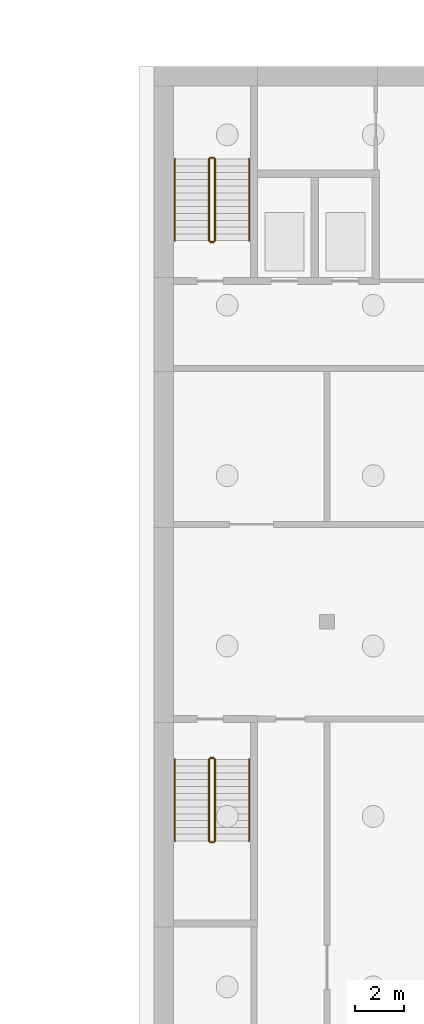
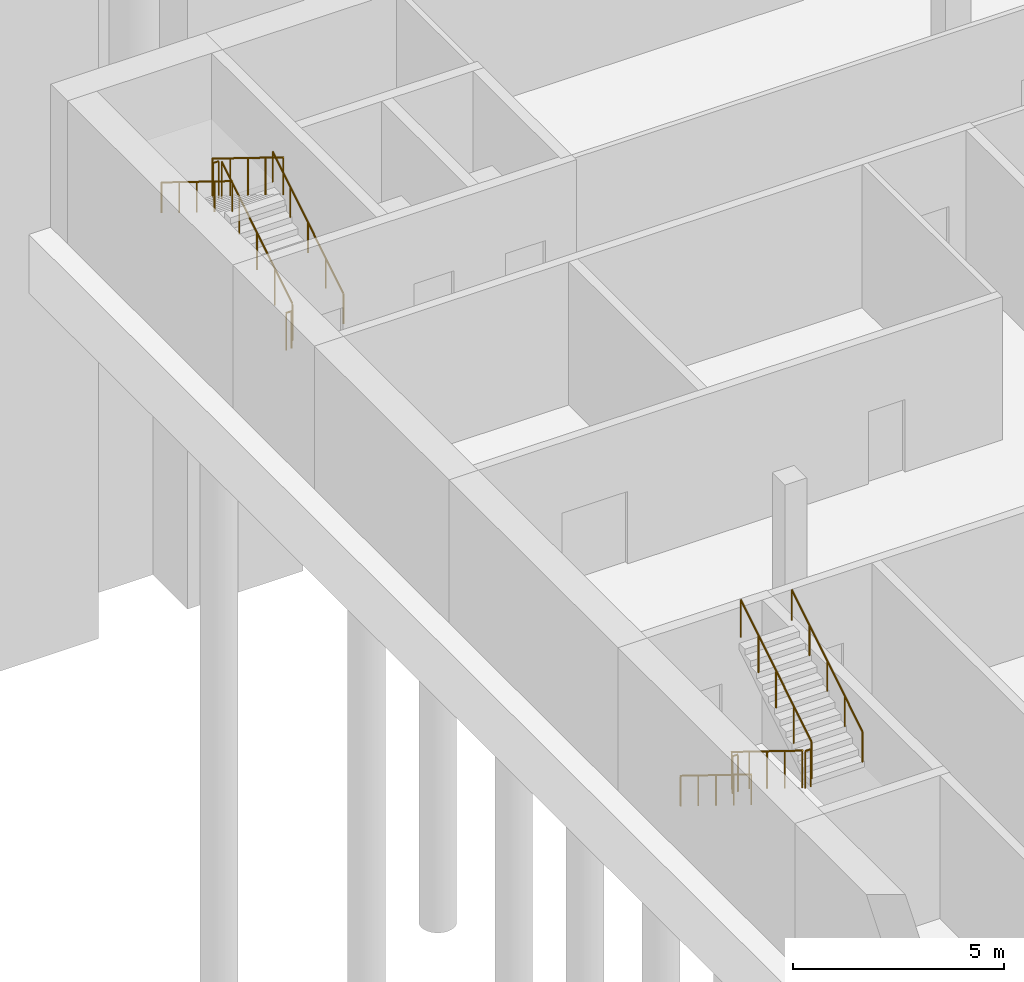
# One storey, part 16 of 23: 12 railings.
"""IFC4 building model written with IfcOpenShell, lengths in metres."""

from ifc_helpers import new_model, si_unit, direction, frame, origin, origin_2d, place, context, subcontext, project, spatial, circle, extrude, material, type_object, element, save


model = new_model("IFC4")

# Units and contexts
model_context = context("Model", 3, precision=1e-05, world=origin(), true_north=direction((0.0, 1.0)))
body_context = subcontext(model_context, "Body", "Model", "MODEL_VIEW")
ifc_project = project(units=[si_unit("LENGTHUNIT", "METRE"), si_unit("AREAUNIT", "SQUARE_METRE"), si_unit("VOLUMEUNIT", "CUBIC_METRE"), si_unit("PLANEANGLEUNIT", "RADIAN"), si_unit("MASSUNIT", "GRAM", prefix="KILO")], contexts=[model_context])

# Site, building, storey
site_placement = place(None, origin())
site = spatial("IfcSite", under=ifc_project, at=site_placement, CompositionType="ELEMENT")
building_placement = place(site_placement, origin())
building = spatial("IfcBuilding", under=site, at=building_placement, Name="Kiln Ring Residences", CompositionType="ELEMENT")
storey_placement = place(building_placement, frame((0.0, 0.0, -4.5)))
storey = spatial("IfcBuildingStorey", under=building, at=storey_placement, Name="B1", CompositionType="ELEMENT", Elevation=-4.5)

# Railings
ifc_material_1 = material(Name="Stainless steel", Category="steel")
railing_type_1 = type_object("IfcRailingType", Name="Hall stair guard 1100", PredefinedType="GUARDRAIL", material=ifc_material_1)
railing_1_placement = place(storey_placement, frame((-27.5, -119.550048828125, 0.173095703125)))
element("IfcRailing", 1, at=railing_1_placement, inside=storey, type_object=railing_type_1, Name="B1 HALL.ST1 stair guard 1", PredefinedType="GUARDRAIL", context=body_context, shape_type="SweptSolid", body=[
    extrude(circle(Radius=0.02392578125, at=origin_2d()), frame((0.0, 0.0, 1.076171875), z_axis=(0.0, 0.850623216509, 0.525775754039), x_axis=(-1.0, 0.0, 0.0)), (0.0, 0.0, 1.0), 3.9501953125),
    extrude(circle(Radius=0.02099609375, at=origin_2d()), origin(), (0.0, 0.0, 1.0), 1.052001953125),
    extrude(circle(Radius=0.02099609375, at=origin_2d()), frame((0.0, 0.840087890625, 0.519287109375)), (0.0, 0.0, 1.0), 1.052001953125),
    extrude(circle(Radius=0.02099609375, at=origin_2d()), frame((0.0, 1.68017578125, 1.03857421875)), (0.0, 0.0, 1.0), 1.052001953125),
    extrude(circle(Radius=0.02099609375, at=origin_2d()), frame((0.0, 2.52001953125, 1.5576171875)), (0.0, 0.0, 1.0), 1.052001953125),
    extrude(circle(Radius=0.02099609375, at=origin_2d()), frame((0.0, 3.360107421875, 2.076904296875)), (0.0, 0.0, 1.0), 1.052001953125),
])
railing_2_placement = place(storey_placement, frame((-27.550048828125, -116.139892578125, 2.25)))
element("IfcRailing", 2, at=railing_2_placement, inside=storey, type_object=railing_type_1, Name="B1 HALL.ST1 stair guard 2", PredefinedType="GUARDRAIL", context=body_context, shape_type="SweptSolid", body=[
    extrude(circle(Radius=0.02392578125, at=origin_2d()), frame((0.0, 0.0, 1.076171875), z_axis=(-1.0, 0.0, 0.0), x_axis=(0.0, -1.0, 0.0)), (0.0, 0.0, 1.0), 0.14990234375),
    extrude(circle(Radius=0.02099609375, at=origin_2d()), origin(), (0.0, 0.0, 1.0), 1.052001953125),
    extrude(circle(Radius=0.02099609375, at=origin_2d()), frame((-0.14990234375, 0.0, 0.0)), (0.0, 0.0, 1.0), 1.052001953125),
])
railing_3_placement = place(storey_placement, frame((-27.75, -116.18994140625, 2.423095703125)))
element("IfcRailing", 3, at=railing_3_placement, inside=storey, type_object=railing_type_1, Name="B1 HALL.ST1 stair guard 3", PredefinedType="GUARDRAIL", context=body_context, shape_type="SweptSolid", body=[
    extrude(circle(Radius=0.02392578125, at=origin_2d()), frame((0.0, 0.0, 1.076171875), z_axis=(0.0, -0.850623216509, 0.525775754039), x_axis=(1.0, 0.0, 0.0)), (0.0, 0.0, 1.0), 3.9501953125),
    extrude(circle(Radius=0.02099609375, at=origin_2d()), origin(), (0.0, 0.0, 1.0), 1.052001953125),
    extrude(circle(Radius=0.02099609375, at=origin_2d()), frame((0.0, -0.840087890625, 0.519287109375)), (0.0, 0.0, 1.0), 1.052001953125),
    extrude(circle(Radius=0.02099609375, at=origin_2d()), frame((0.0, -1.68017578125, 1.03857421875)), (0.0, 0.0, 1.0), 1.052001953125),
    extrude(circle(Radius=0.02099609375, at=origin_2d()), frame((0.0, -2.52001953125, 1.5576171875)), (0.0, 0.0, 1.0), 1.052001953125),
    extrude(circle(Radius=0.02099609375, at=origin_2d()), frame((0.0, -3.360107421875, 2.076904296875)), (0.0, 0.0, 1.0), 1.052001953125),
])
railing_4_placement = place(storey_placement, frame((-27.550048828125, -119.60009765625, 0.0)))
element("IfcRailing", 4, at=railing_4_placement, inside=storey, type_object=railing_type_1, Name="B1 HALL.ST1 stair guard 4", PredefinedType="GUARDRAIL", context=body_context, shape_type="SweptSolid", body=[
    extrude(circle(Radius=0.02392578125, at=origin_2d()), frame((0.0, 0.0, 1.076171875), z_axis=(-1.0, 0.0, 0.0), x_axis=(0.0, -1.0, 0.0)), (0.0, 0.0, 1.0), 0.14990234375),
    extrude(circle(Radius=0.02099609375, at=origin_2d()), origin(), (0.0, 0.0, 1.0), 1.052001953125),
    extrude(circle(Radius=0.02099609375, at=origin_2d()), frame((-0.14990234375, 0.0, 0.0)), (0.0, 0.0, 1.0), 1.052001953125),
])
railing_5_placement = place(storey_placement, frame((-27.75, -140.85009765625, 0.173095703125)))
element("IfcRailing", 5, at=railing_5_placement, inside=storey, type_object=railing_type_1, Name="B1 HALL.ST3 stair guard 1", PredefinedType="GUARDRAIL", context=body_context, shape_type="SweptSolid", body=[
    extrude(circle(Radius=0.02392578125, at=origin_2d()), frame((0.0, 0.0, 1.076171875), z_axis=(0.0, -0.850606129759, 0.525803396734), x_axis=(1.0, 0.0, 0.0)), (0.0, 0.0, 1.0), 3.949951171875),
    extrude(circle(Radius=0.02099609375, at=origin_2d()), origin(), (0.0, 0.0, 1.0), 1.052001953125),
    extrude(circle(Radius=0.02099609375, at=origin_2d()), frame((0.0, -0.83984375, 0.519287109375)), (0.0, 0.0, 1.0), 1.052001953125),
    extrude(circle(Radius=0.02099609375, at=origin_2d()), frame((0.0, -1.679931640625, 1.03857421875)), (0.0, 0.0, 1.0), 1.052001953125),
    extrude(circle(Radius=0.02099609375, at=origin_2d()), frame((0.0, -2.52001953125, 1.5576171875)), (0.0, 0.0, 1.0), 1.052001953125),
    extrude(circle(Radius=0.02099609375, at=origin_2d()), frame((0.0, -3.35986328125, 2.076904296875)), (0.0, 0.0, 1.0), 1.052001953125),
])
railing_6_placement = place(storey_placement, frame((-27.699951171875, -144.260009765625, 2.25)))
element("IfcRailing", 6, at=railing_6_placement, inside=storey, type_object=railing_type_1, Name="B1 HALL.ST3 stair guard 2", PredefinedType="GUARDRAIL", context=body_context, shape_type="SweptSolid", body=[
    extrude(circle(Radius=0.02392578125, at=origin_2d()), frame((0.0, 0.0, 1.076171875), z_axis=(1.0, 0.0, 0.0), x_axis=(0.0, 1.0, 0.0)), (0.0, 0.0, 1.0), 0.14990234375),
    extrude(circle(Radius=0.02099609375, at=origin_2d()), origin(), (0.0, 0.0, 1.0), 1.052001953125),
    extrude(circle(Radius=0.02099609375, at=origin_2d()), frame((0.14990234375, 0.0, 0.0)), (0.0, 0.0, 1.0), 1.052001953125),
])
railing_7_placement = place(storey_placement, frame((-27.5, -144.2099609375, 2.423095703125)))
element("IfcRailing", 7, at=railing_7_placement, inside=storey, type_object=railing_type_1, Name="B1 HALL.ST3 stair guard 3", PredefinedType="GUARDRAIL", context=body_context, shape_type="SweptSolid", body=[
    extrude(circle(Radius=0.02392578125, at=origin_2d()), frame((0.0, 0.0, 1.076171875), z_axis=(0.0, 0.850606129759, 0.525803396734), x_axis=(-1.0, 0.0, 0.0)), (0.0, 0.0, 1.0), 3.949951171875),
    extrude(circle(Radius=0.02099609375, at=origin_2d()), origin(), (0.0, 0.0, 1.0), 1.052001953125),
    extrude(circle(Radius=0.02099609375, at=origin_2d()), frame((0.0, 0.83984375, 0.519287109375)), (0.0, 0.0, 1.0), 1.052001953125),
    extrude(circle(Radius=0.02099609375, at=origin_2d()), frame((0.0, 1.679931640625, 1.03857421875)), (0.0, 0.0, 1.0), 1.052001953125),
    extrude(circle(Radius=0.02099609375, at=origin_2d()), frame((0.0, 2.52001953125, 1.5576171875)), (0.0, 0.0, 1.0), 1.052001953125),
    extrude(circle(Radius=0.02099609375, at=origin_2d()), frame((0.0, 3.35986328125, 2.076904296875)), (0.0, 0.0, 1.0), 1.052001953125),
])
railing_8_placement = place(storey_placement, frame((-27.699951171875, -140.800048828125, 0.0)))
element("IfcRailing", 8, at=railing_8_placement, inside=storey, type_object=railing_type_1, Name="B1 HALL.ST3 stair guard 4", PredefinedType="GUARDRAIL", context=body_context, shape_type="SweptSolid", body=[
    extrude(circle(Radius=0.02392578125, at=origin_2d()), frame((0.0, 0.0, 1.076171875), z_axis=(1.0, 0.0, 0.0), x_axis=(0.0, 1.0, 0.0)), (0.0, 0.0, 1.0), 0.14990234375),
    extrude(circle(Radius=0.02099609375, at=origin_2d()), origin(), (0.0, 0.0, 1.0), 1.052001953125),
    extrude(circle(Radius=0.02099609375, at=origin_2d()), frame((0.14990234375, 0.0, 0.0)), (0.0, 0.0, 1.0), 1.052001953125),
])
ifc_material_2 = material(Name="Stainless steel", Category="steel")
railing_type_2 = type_object("IfcRailingType", Name="Hall stair handrail 900", PredefinedType="HANDRAIL", material=ifc_material_2)
railing_9_placement = place(storey_placement, frame((-26.10009765625, -119.550048828125, 0.173095703125)))
element("IfcRailing", 9, at=railing_9_placement, inside=storey, type_object=railing_type_2, Name="B1 HALL.ST1 stair handrail 1", PredefinedType="HANDRAIL", context=body_context, shape_type="SweptSolid", body=[
    extrude(circle(Radius=0.02392578125, at=origin_2d()), frame((0.0, 0.0, 0.8759765625), z_axis=(0.0, 0.850623216509, 0.525775754039), x_axis=(-1.0, 0.0, 0.0)), (0.0, 0.0, 1.0), 3.9501953125),
    extrude(circle(Radius=0.02099609375, at=origin_2d()), origin(), (0.0, 0.0, 1.0), 0.851806640625),
    extrude(circle(Radius=0.02099609375, at=origin_2d()), frame((0.0, 0.840087890625, 0.519287109375)), (0.0, 0.0, 1.0), 0.851806640625),
    extrude(circle(Radius=0.02099609375, at=origin_2d()), frame((0.0, 1.68017578125, 1.03857421875)), (0.0, 0.0, 1.0), 0.851806640625),
    extrude(circle(Radius=0.02099609375, at=origin_2d()), frame((0.0, 2.52001953125, 1.5576171875)), (0.0, 0.0, 1.0), 0.851806640625),
    extrude(circle(Radius=0.02099609375, at=origin_2d()), frame((0.0, 3.360107421875, 2.076904296875)), (0.0, 0.0, 1.0), 0.851806640625),
])
railing_10_placement = place(storey_placement, frame((-29.14990234375, -116.18994140625, 2.423095703125)))
element("IfcRailing", 10, at=railing_10_placement, inside=storey, type_object=railing_type_2, Name="B1 HALL.ST1 stair handrail 2", PredefinedType="HANDRAIL", context=body_context, shape_type="SweptSolid", body=[
    extrude(circle(Radius=0.02392578125, at=origin_2d()), frame((0.0, 0.0, 0.8759765625), z_axis=(0.0, -0.850623216509, 0.525775754039), x_axis=(1.0, 0.0, 0.0)), (0.0, 0.0, 1.0), 3.9501953125),
    extrude(circle(Radius=0.02099609375, at=origin_2d()), origin(), (0.0, 0.0, 1.0), 0.851806640625),
    extrude(circle(Radius=0.02099609375, at=origin_2d()), frame((0.0, -0.840087890625, 0.519287109375)), (0.0, 0.0, 1.0), 0.851806640625),
    extrude(circle(Radius=0.02099609375, at=origin_2d()), frame((0.0, -1.68017578125, 1.03857421875)), (0.0, 0.0, 1.0), 0.851806640625),
    extrude(circle(Radius=0.02099609375, at=origin_2d()), frame((0.0, -2.52001953125, 1.5576171875)), (0.0, 0.0, 1.0), 0.851806640625),
    extrude(circle(Radius=0.02099609375, at=origin_2d()), frame((0.0, -3.360107421875, 2.076904296875)), (0.0, 0.0, 1.0), 0.851806640625),
])
railing_11_placement = place(storey_placement, frame((-29.14990234375, -140.85009765625, 0.173095703125)))
element("IfcRailing", 11, at=railing_11_placement, inside=storey, type_object=railing_type_2, Name="B1 HALL.ST3 stair handrail 1", PredefinedType="HANDRAIL", context=body_context, shape_type="SweptSolid", body=[
    extrude(circle(Radius=0.02392578125, at=origin_2d()), frame((0.0, 0.0, 0.8759765625), z_axis=(0.0, -0.850606129759, 0.525803396734), x_axis=(1.0, 0.0, 0.0)), (0.0, 0.0, 1.0), 3.949951171875),
    extrude(circle(Radius=0.02099609375, at=origin_2d()), origin(), (0.0, 0.0, 1.0), 0.851806640625),
    extrude(circle(Radius=0.02099609375, at=origin_2d()), frame((0.0, -0.83984375, 0.519287109375)), (0.0, 0.0, 1.0), 0.851806640625),
    extrude(circle(Radius=0.02099609375, at=origin_2d()), frame((0.0, -1.679931640625, 1.03857421875)), (0.0, 0.0, 1.0), 0.851806640625),
    extrude(circle(Radius=0.02099609375, at=origin_2d()), frame((0.0, -2.52001953125, 1.5576171875)), (0.0, 0.0, 1.0), 0.851806640625),
    extrude(circle(Radius=0.02099609375, at=origin_2d()), frame((0.0, -3.35986328125, 2.076904296875)), (0.0, 0.0, 1.0), 0.851806640625),
])
railing_12_placement = place(storey_placement, frame((-26.10009765625, -144.2099609375, 2.423095703125)))
element("IfcRailing", 12, at=railing_12_placement, inside=storey, type_object=railing_type_2, Name="B1 HALL.ST3 stair handrail 2", PredefinedType="HANDRAIL", context=body_context, shape_type="SweptSolid", body=[
    extrude(circle(Radius=0.02392578125, at=origin_2d()), frame((0.0, 0.0, 0.8759765625), z_axis=(0.0, 0.850606129759, 0.525803396734), x_axis=(-1.0, 0.0, 0.0)), (0.0, 0.0, 1.0), 3.949951171875),
    extrude(circle(Radius=0.02099609375, at=origin_2d()), origin(), (0.0, 0.0, 1.0), 0.851806640625),
    extrude(circle(Radius=0.02099609375, at=origin_2d()), frame((0.0, 0.83984375, 0.519287109375)), (0.0, 0.0, 1.0), 0.851806640625),
    extrude(circle(Radius=0.02099609375, at=origin_2d()), frame((0.0, 1.679931640625, 1.03857421875)), (0.0, 0.0, 1.0), 0.851806640625),
    extrude(circle(Radius=0.02099609375, at=origin_2d()), frame((0.0, 2.52001953125, 1.5576171875)), (0.0, 0.0, 1.0), 0.851806640625),
    extrude(circle(Radius=0.02099609375, at=origin_2d()), frame((0.0, 3.35986328125, 2.076904296875)), (0.0, 0.0, 1.0), 0.851806640625),
])

save(model, "model.ifc")
